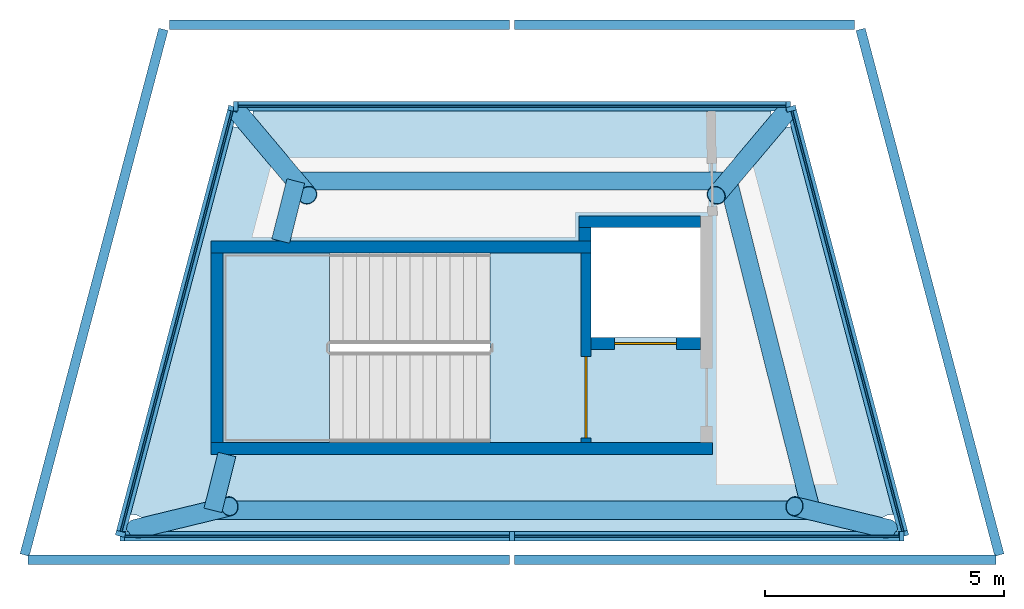
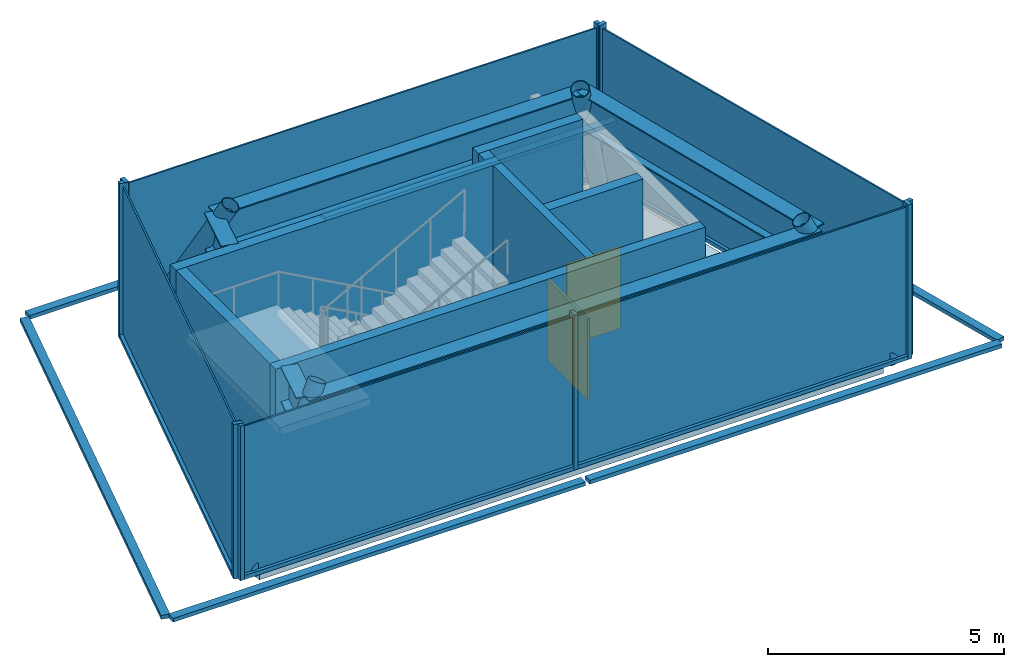
"""IFC4 building model written with IfcOpenShell, lengths in metres."""

from ifc_helpers import new_model, si_unit, direction, frame, frame_2d, origin, origin_2d, place, context, subcontext, project, spatial, polyline, rectangle, hollow_circle, i_section, outline, extrude, material, layer, layer_set, material_profile, profile_set, type_object, element, fill, aggregate, save


model = new_model("IFC4")

# Units and contexts
model_context = context("Model", 3, precision=1e-05, world=origin(), true_north=direction((0.0, 1.0)))
body_context = subcontext(model_context, "Body", "Model", "MODEL_VIEW")
ifc_project = project(units=[si_unit("LENGTHUNIT", "METRE"), si_unit("AREAUNIT", "SQUARE_METRE"), si_unit("VOLUMEUNIT", "CUBIC_METRE"), si_unit("PLANEANGLEUNIT", "RADIAN"), si_unit("MASSUNIT", "GRAM", prefix="KILO")], contexts=[model_context])

# Site, building, storey
site_placement = place(None, origin())
site = spatial("IfcSite", under=ifc_project, at=site_placement, CompositionType="ELEMENT")
building_placement = place(site_placement, origin())
building = spatial("IfcBuilding", under=site, at=building_placement, Name="Quipu Civic Tower", CompositionType="ELEMENT")
storey_1_placement = place(building_placement, frame((0.0, 0.0, 388.0)))
storey_1 = spatial("IfcBuildingStorey", under=building, at=storey_1_placement, Name="L90", CompositionType="ELEMENT", Elevation=388.0)

# Members
ifc_material_1 = material(Name="Steel ASTM A500 Grade C (fy 345 MPa)", Category="steel")
ifc_material_profile_1 = material_profile(ifc_material_1, hollow_circle(Radius=0.203125, WallThickness=0.0126953125, at=origin_2d()), Name="HSS406x12.7")
ifc_profile_set_1 = profile_set([ifc_material_profile_1], Name="Steel ASTM A500 Grade C (fy 345 MPa)")
member_type_1 = type_object("IfcMemberType", Name="Crown leg HSS406x12.7", PredefinedType="BRACE", material=ifc_profile_set_1)
for number, where, z_axis, x_axis, name in (
    (1, (-7.887451171875, -8.012939453125, 0.0), (0.439605072178, 0.106635257107, 0.891838719981), (-0.235734342436, 0.971817534209, 0.0), "Crown leg L90 1"),
    (2, (7.887451171875, -8.012939453125, 0.0), (-0.439605072178, 0.106635257107, 0.891838719981), (-0.235734342436, -0.971817534209, 0.0), "Crown leg L90 2"),
):
    element("IfcMember", number, at=place(storey_1_placement, frame(where, z_axis=z_axis, x_axis=x_axis)), inside=storey_1, type_object=member_type_1, Name=name, PredefinedType="BRACE", context=body_context, shape_type="SweptSolid", body=[
        extrude(hollow_circle(Radius=0.203125, WallThickness=0.0126953125, at=origin_2d()), origin(), (0.0, 0.0, 1.0), 4.485107421875),
    ])
for number, where, z_axis, x_axis, name in (
    (3, (5.700927734375, 0.672119140625, 0.0), (-0.311781792121, -0.370367716403, 0.874997067851), (0.765019891013, -0.644006650862, 0.0), "Crown leg L90 3"),
    (4, (-5.700927734375, 0.672119140625, 0.0), (0.311781792121, -0.370367716403, 0.874997067851), (0.765019891013, 0.644006650862, 0.0), "Crown leg L90 4"),
):
    element("IfcMember", number, at=place(storey_1_placement, frame(where, z_axis=z_axis, x_axis=x_axis)), inside=storey_1, type_object=member_type_1, Name=name, PredefinedType="BRACE", context=body_context, shape_type="SweptSolid", body=[
        extrude(hollow_circle(Radius=0.203125, WallThickness=0.0126953125, at=origin_2d()), origin(), (0.0, 0.0, 1.0), 4.571533203125),
    ])

# Beams
ifc_material_2 = material(Name="Steel ASTM A992 Grade 50 (fy 345 MPa)", Category="steel")
ifc_material_profile_2 = material_profile(ifc_material_2, i_section(OverallWidth=0.384033203125, OverallDepth=0.911865234375, WebThickness=0.019287109375, FlangeThickness=0.031982421875, at=origin_2d()), Name="W920x342")
ifc_profile_set_2 = profile_set([ifc_material_profile_2], Name="Steel ASTM A992 Grade 50 (fy 345 MPa)")
beam_type = type_object("IfcBeamType", Name="Crown ring girder W920x342", PredefinedType="BEAM", material=ifc_profile_set_2)
beam_1_placement = place(storey_1_placement, frame((-6.263671875, -7.619140625, 3.294189453125), z_axis=(1.0, 0.0, 0.0), x_axis=(0.0, 1.0, 0.0)))
element("IfcBeam", 5, at=beam_1_placement, inside=storey_1, type_object=beam_type, Name="Crown ring girder L90 1 to 2", PredefinedType="BEAM", context=body_context, shape_type="SweptSolid", body=[
    extrude(i_section(OverallWidth=0.384033203125, OverallDepth=0.911865234375, WebThickness=0.019287109375, FlangeThickness=0.031982421875, at=origin_2d()), origin(), (0.0, 0.0, 1.0), 12.52734375),
])
beam_2_placement = place(storey_1_placement, frame((6.263671875, -7.619140625, 3.294189453125), z_axis=(-0.244166816595, 0.969733244596, 0.0), x_axis=(-0.969733244596, -0.244166816595, 0.0)))
element("IfcBeam", 6, at=beam_2_placement, inside=storey_1, type_object=beam_type, Name="Crown ring girder L90 2 to 3", PredefinedType="BEAM", context=body_context, shape_type="SweptSolid", body=[
    extrude(i_section(OverallWidth=0.384033203125, OverallDepth=0.911865234375, WebThickness=0.019287109375, FlangeThickness=0.031982421875, at=origin_2d()), origin(), (0.0, 0.0, 1.0), 7.1123046875),
])
beam_3_placement = place(storey_1_placement, frame((4.527099609375, -0.72216796875, 3.294189453125), z_axis=(-1.0, 0.0, 0.0), x_axis=(0.0, -1.0, 0.0)))
element("IfcBeam", 7, at=beam_3_placement, inside=storey_1, type_object=beam_type, Name="Crown ring girder L90 3 to 4", PredefinedType="BEAM", context=body_context, shape_type="SweptSolid", body=[
    extrude(i_section(OverallWidth=0.384033203125, OverallDepth=0.911865234375, WebThickness=0.019287109375, FlangeThickness=0.031982421875, at=origin_2d()), origin(), (0.0, 0.0, 1.0), 9.05419921875),
])
beam_4_placement = place(storey_1_placement, frame((-4.527099609375, -0.72216796875, 3.294189453125), z_axis=(-0.244129686123, -0.969742592833, 0.0), x_axis=(0.969742592833, -0.244129686123, 0.0)))
element("IfcBeam", 8, at=beam_4_placement, inside=storey_1, type_object=beam_type, Name="Crown ring girder L90 4 to 1 part 1", PredefinedType="BEAM", context=body_context, shape_type="SweptSolid", body=[
    extrude(i_section(OverallWidth=0.384033203125, OverallDepth=0.911865234375, WebThickness=0.019287109375, FlangeThickness=0.031982421875, at=origin_2d()), origin(), (0.0, 0.0, 1.0), 1.297119140625),
])
beam_5_placement = place(storey_1_placement, frame((-5.96923828125, -6.449951171875, 3.294189453125), z_axis=(-0.244202830702, -0.969724175979, 0.0), x_axis=(0.969724175979, -0.244202830702, 0.0)))
element("IfcBeam", 9, at=beam_5_placement, inside=storey_1, type_object=beam_type, Name="Crown ring girder L90 4 to 1 part 2", PredefinedType="BEAM", context=body_context, shape_type="SweptSolid", body=[
    extrude(i_section(OverallWidth=0.384033203125, OverallDepth=0.911865234375, WebThickness=0.019287109375, FlangeThickness=0.031982421875, at=origin_2d()), origin(), (0.0, 0.0, 1.0), 1.205810546875),
])

# Curtain wall, members
ifc_material_3 = material(Name="Insulated glass unit", Category="glass")
curtain_wall_type_1 = type_object("IfcCurtainWallType", Name="Crown glass facets CW6", PredefinedType="NOTDEFINED", material=ifc_material_3)
curtain_wall_1_placement = place(storey_1_placement, origin())
curtain_wall_1 = element("IfcCurtainWall", 10, at=curtain_wall_1_placement, inside=storey_1, type_object=curtain_wall_type_1, Name="Crown glass facets CW6 L90 run 1", PredefinedType="NOTDEFINED")
ifc_material_4 = material(Name="Anodised aluminium", Category="aluminium")
ifc_material_profile_3 = material_profile(ifc_material_4, rectangle(XDim=0.199951171875, YDim=0.10009765625, at=origin_2d()), Name="RECT 200x100")
ifc_profile_set_3 = profile_set([ifc_material_profile_3], Name="Anodised aluminium")
member_type_2 = type_object("IfcMemberType", Name="Mullion CW6", PredefinedType="MULLION", material=ifc_profile_set_3)
member_1_placement = place(storey_1_placement, frame((-8.16162109375, -8.159912109375, 0.050048828125), z_axis=(0.0, 0.0, 1.0), x_axis=(0.0, 1.0, 0.0)))
member_1 = element("IfcMember", 11, at=member_1_placement, type_object=member_type_2, Name="CW6 mullion 1", PredefinedType="MULLION", context=body_context, shape_type="SweptSolid", body=[
    extrude(rectangle(XDim=0.199951171875, YDim=0.10009765625, at=origin_2d()), origin(), (0.0, 0.0, 1.0), 4.0),
])
member_2_placement = place(storey_1_placement, frame((0.0, -8.159912109375, 0.050048828125), z_axis=(0.0, 0.0, 1.0), x_axis=(0.0, 1.0, 0.0)))
member_2 = element("IfcMember", 12, at=member_2_placement, type_object=member_type_2, Name="CW6 mullion 2", PredefinedType="MULLION", context=body_context, shape_type="SweptSolid", body=[
    extrude(rectangle(XDim=0.199951171875, YDim=0.10009765625, at=origin_2d()), origin(), (0.0, 0.0, 1.0), 4.0),
])
member_3_placement = place(storey_1_placement, frame((8.16162109375, -8.159912109375, 0.050048828125), z_axis=(0.0, 0.0, 1.0), x_axis=(0.0, 1.0, 0.0)))
member_3 = element("IfcMember", 13, at=member_3_placement, type_object=member_type_2, Name="CW6 mullion 3", PredefinedType="MULLION", context=body_context, shape_type="SweptSolid", body=[
    extrude(rectangle(XDim=0.199951171875, YDim=0.10009765625, at=origin_2d()), origin(), (0.0, 0.0, 1.0), 4.0),
])

curtain_wall_2_placement = place(storey_1_placement, origin())
curtain_wall_2 = element("IfcCurtainWall", 14, at=curtain_wall_2_placement, inside=storey_1, type_object=curtain_wall_type_1, Name="Crown glass facets CW6 L90 run 3", PredefinedType="NOTDEFINED")
member_4_placement = place(storey_1_placement, frame((5.78515625, 0.840087890625, 0.050048828125), z_axis=(0.0, 0.0, 1.0), x_axis=(0.0, -1.0, 0.0)))
member_4 = element("IfcMember", 15, at=member_4_placement, type_object=member_type_2, Name="CW6 mullion 1", PredefinedType="MULLION", context=body_context, shape_type="SweptSolid", body=[
    extrude(rectangle(XDim=0.199951171875, YDim=0.10009765625, at=origin_2d()), origin(), (0.0, 0.0, 1.0), 4.0),
])
member_5_placement = place(storey_1_placement, frame((-5.78515625, 0.840087890625, 0.050048828125), z_axis=(0.0, 0.0, 1.0), x_axis=(0.0, -1.0, 0.0)))
member_5 = element("IfcMember", 16, at=member_5_placement, type_object=member_type_2, Name="CW6 mullion 2", PredefinedType="MULLION", context=body_context, shape_type="SweptSolid", body=[
    extrude(rectangle(XDim=0.199951171875, YDim=0.10009765625, at=origin_2d()), origin(), (0.0, 0.0, 1.0), 4.0),
])

ifc_material_5 = material(Name="Anodised aluminium insulated panel", Category="aluminium")
curtain_wall_type_2 = type_object("IfcCurtainWallType", Name="Insulated infill wall CW6I", PredefinedType="NOTDEFINED", material=ifc_material_5)
curtain_wall_3_placement = place(storey_1_placement, origin())
curtain_wall_3 = element("IfcCurtainWall", 17, at=curtain_wall_3_placement, inside=storey_1, type_object=curtain_wall_type_2, Name="Insulated infill wall CW6I L90 run 2", PredefinedType="NOTDEFINED")
ifc_material_6 = material(Name="Anodised aluminium", Category="aluminium")
ifc_material_profile_4 = material_profile(ifc_material_6, rectangle(XDim=0.199951171875, YDim=0.10009765625, at=origin_2d()), Name="RECT 200x100")
ifc_profile_set_4 = profile_set([ifc_material_profile_4], Name="Anodised aluminium")
member_type_3 = type_object("IfcMemberType", Name="Mullion CW6I", PredefinedType="MULLION", material=ifc_profile_set_4)
member_6_placement = place(storey_1_placement, frame((8.198974609375, -8.111572265625, 0.050048828125), z_axis=(0.0, 0.0, 1.0), x_axis=(-0.966857939253, -0.255314953151, 0.0)))
member_6 = element("IfcMember", 18, at=member_6_placement, type_object=member_type_3, Name="CW6I mullion 1", PredefinedType="MULLION", context=body_context, shape_type="SweptSolid", body=[
    extrude(rectangle(XDim=0.199951171875, YDim=0.10009765625, at=origin_2d()), origin(), (0.0, 0.0, 1.0), 4.0),
])
member_7_placement = place(storey_1_placement, frame((5.847900390625, 0.791748046875, 0.050048828125), z_axis=(0.0, 0.0, 1.0), x_axis=(-0.966857939253, -0.255314953151, 0.0)))
member_7 = element("IfcMember", 19, at=member_7_placement, type_object=member_type_3, Name="CW6I mullion 2", PredefinedType="MULLION", context=body_context, shape_type="SweptSolid", body=[
    extrude(rectangle(XDim=0.199951171875, YDim=0.10009765625, at=origin_2d()), origin(), (0.0, 0.0, 1.0), 4.0),
])

curtain_wall_4_placement = place(storey_1_placement, origin())
curtain_wall_4 = element("IfcCurtainWall", 20, at=curtain_wall_4_placement, inside=storey_1, type_object=curtain_wall_type_2, Name="Insulated infill wall CW6I L90 run 4", PredefinedType="NOTDEFINED")
member_8_placement = place(storey_1_placement, frame((-5.847900390625, 0.791748046875, 0.050048828125), z_axis=(0.0, 0.0, 1.0), x_axis=(0.966857939253, -0.255314953151, 0.0)))
member_8 = element("IfcMember", 21, at=member_8_placement, type_object=member_type_3, Name="CW6I mullion 1", PredefinedType="MULLION", context=body_context, shape_type="SweptSolid", body=[
    extrude(rectangle(XDim=0.199951171875, YDim=0.10009765625, at=origin_2d()), origin(), (0.0, 0.0, 1.0), 4.0),
])
member_9_placement = place(storey_1_placement, frame((-8.198974609375, -8.111572265625, 0.050048828125), z_axis=(0.0, 0.0, 1.0), x_axis=(0.966857939253, -0.255314953151, 0.0)))
member_9 = element("IfcMember", 22, at=member_9_placement, type_object=member_type_3, Name="CW6I mullion 2", PredefinedType="MULLION", context=body_context, shape_type="SweptSolid", body=[
    extrude(rectangle(XDim=0.199951171875, YDim=0.10009765625, at=origin_2d()), origin(), (0.0, 0.0, 1.0), 4.0),
])

# Storey
storey_2_placement = place(building_placement, frame((0.0, 0.0, 384.0)))
storey_2 = spatial("IfcBuildingStorey", under=building, at=storey_2_placement, Name="L89", CompositionType="ELEMENT", Elevation=384.0)

# Curtain wall, members
curtain_wall_5_placement = place(storey_2_placement, origin())
curtain_wall_5 = element("IfcCurtainWall", 23, at=curtain_wall_5_placement, inside=storey_2, type_object=curtain_wall_type_1, Name="Crown glass facets CW6 L89 run 1", PredefinedType="NOTDEFINED")
ifc_material_7 = material(Name="Anodised aluminium", Category="aluminium")
ifc_material_profile_5 = material_profile(ifc_material_7, rectangle(XDim=0.199951171875, YDim=0.10009765625, at=origin_2d()), Name="RECT 200x100")
ifc_profile_set_5 = profile_set([ifc_material_profile_5], Name="Anodised aluminium")
member_type_4 = type_object("IfcMemberType", Name="Transom CW6", PredefinedType="USERDEFINED", material=ifc_profile_set_5)
member_10_placement = place(storey_1_placement, frame((-10.132080078125, -8.64990234375, 0.0), z_axis=(1.0, 0.0, 0.0), x_axis=(0.0, 1.0, 0.0)))
member_10 = element("IfcMember", 24, at=member_10_placement, inside=storey_1, type_object=member_type_4, Name="CW6 transom 1.2", ObjectType="TRANSOM", PredefinedType="USERDEFINED", context=body_context, shape_type="SweptSolid", body=[
    extrude(rectangle(XDim=0.199951171875, YDim=0.10009765625, at=origin_2d()), origin(), (0.0, 0.0, 1.0), 10.08203125),
])
member_11_placement = place(storey_1_placement, frame((0.050048828125, -8.64990234375, 0.0), z_axis=(1.0, 0.0, 0.0), x_axis=(0.0, 1.0, 0.0)))
member_11 = element("IfcMember", 25, at=member_11_placement, inside=storey_1, type_object=member_type_4, Name="CW6 transom 2.2", ObjectType="TRANSOM", PredefinedType="USERDEFINED", context=body_context, shape_type="SweptSolid", body=[
    extrude(rectangle(XDim=0.199951171875, YDim=0.10009765625, at=origin_2d()), origin(), (0.0, 0.0, 1.0), 10.08203125),
])
aggregate(curtain_wall_5, [member_10, member_11])

curtain_wall_6_placement = place(storey_2_placement, origin())
curtain_wall_6 = element("IfcCurtainWall", 26, at=curtain_wall_6_placement, inside=storey_2, type_object=curtain_wall_type_1, Name="Crown glass facets CW6 L89 run 3", PredefinedType="NOTDEFINED")
member_12_placement = place(storey_1_placement, frame((7.174560546875, 2.550048828125, 0.0), z_axis=(-1.0, 0.0, 0.0), x_axis=(0.0, -1.0, 0.0)))
member_12 = element("IfcMember", 27, at=member_12_placement, inside=storey_1, type_object=member_type_4, Name="CW6 transom 1.2", ObjectType="TRANSOM", PredefinedType="USERDEFINED", context=body_context, shape_type="SweptSolid", body=[
    extrude(rectangle(XDim=0.199951171875, YDim=0.10009765625, at=origin_2d()), origin(), (0.0, 0.0, 1.0), 7.12451171875),
])
member_13_placement = place(storey_1_placement, frame((-0.050048828125, 2.550048828125, 0.0), z_axis=(-1.0, 0.0, 0.0), x_axis=(0.0, -1.0, 0.0)))
member_13 = element("IfcMember", 28, at=member_13_placement, inside=storey_1, type_object=member_type_4, Name="CW6 transom 2.2", ObjectType="TRANSOM", PredefinedType="USERDEFINED", context=body_context, shape_type="SweptSolid", body=[
    extrude(rectangle(XDim=0.199951171875, YDim=0.10009765625, at=origin_2d()), origin(), (0.0, 0.0, 1.0), 7.12451171875),
])
aggregate(curtain_wall_6, [member_12, member_13])

# Member
member_14_placement = place(storey_1_placement, frame((-8.11181640625, -8.159912109375, 0.10009765625), z_axis=(1.0, 0.0, 0.0), x_axis=(0.0, 1.0, 0.0)))
member_14 = element("IfcMember", 29, at=member_14_placement, type_object=member_type_4, Name="CW6 transom 1.1", ObjectType="TRANSOM", PredefinedType="USERDEFINED", context=body_context, shape_type="SweptSolid", body=[
    extrude(rectangle(XDim=0.199951171875, YDim=0.10009765625, at=origin_2d()), origin(), (0.0, 0.0, 1.0), 8.061767578125),
])

member_15_placement = place(storey_1_placement, frame((0.050048828125, -8.159912109375, 0.10009765625), z_axis=(1.0, 0.0, 0.0), x_axis=(0.0, 1.0, 0.0)))
member_15 = element("IfcMember", 30, at=member_15_placement, type_object=member_type_4, Name="CW6 transom 2.1", ObjectType="TRANSOM", PredefinedType="USERDEFINED", context=body_context, shape_type="SweptSolid", body=[
    extrude(rectangle(XDim=0.199951171875, YDim=0.10009765625, at=origin_2d()), origin(), (0.0, 0.0, 1.0), 8.061767578125),
])

member_16_placement = place(storey_1_placement, frame((5.735107421875, 0.840087890625, 0.10009765625), z_axis=(-1.0, 0.0, 0.0), x_axis=(0.0, -1.0, 0.0)))
member_16 = element("IfcMember", 31, at=member_16_placement, type_object=member_type_4, Name="CW6 transom 1.1", ObjectType="TRANSOM", PredefinedType="USERDEFINED", context=body_context, shape_type="SweptSolid", body=[
    extrude(rectangle(XDim=0.199951171875, YDim=0.10009765625, at=origin_2d()), origin(), (0.0, 0.0, 1.0), 11.47021484375),
])

# Curtain wall, member
curtain_wall_7_placement = place(storey_2_placement, origin())
curtain_wall_7 = element("IfcCurtainWall", 32, at=curtain_wall_7_placement, inside=storey_2, type_object=curtain_wall_type_2, Name="Insulated infill wall CW6I L89 run 2", PredefinedType="NOTDEFINED")
ifc_material_8 = material(Name="Anodised aluminium", Category="aluminium")
ifc_material_profile_6 = material_profile(ifc_material_8, rectangle(XDim=0.199951171875, YDim=0.10009765625, at=origin_2d()), Name="RECT 200x100")
ifc_profile_set_6 = profile_set([ifc_material_profile_6], Name="Anodised aluminium")
member_type_5 = type_object("IfcMemberType", Name="Transom CW6I", PredefinedType="USERDEFINED", material=ifc_profile_set_6)
member_17_placement = place(storey_1_placement, frame((10.206787109375, -8.55322265625, 0.0), z_axis=(-0.255336654464, 0.9668522084, 0.0), x_axis=(-0.9668522084, -0.255336654464, 0.0)))
member_17 = element("IfcMember", 33, at=member_17_placement, inside=storey_1, type_object=member_type_5, Name="CW6I transom 1.2", ObjectType="TRANSOM", PredefinedType="USERDEFINED", context=body_context, shape_type="SweptSolid", body=[
    extrude(rectangle(XDim=0.199951171875, YDim=0.10009765625, at=origin_2d()), origin(), (0.0, 0.0, 1.0), 11.384033203125),
])
aggregate(curtain_wall_7, [member_17])

curtain_wall_8_placement = place(storey_2_placement, origin())
curtain_wall_8 = element("IfcCurtainWall", 34, at=curtain_wall_8_placement, inside=storey_2, type_object=curtain_wall_type_2, Name="Insulated infill wall CW6I L89 run 4", PredefinedType="NOTDEFINED")
member_18_placement = place(storey_1_placement, frame((-7.300048828125, 2.453369140625, 0.0), z_axis=(-0.255336654464, -0.9668522084, 0.0), x_axis=(0.9668522084, -0.255336654464, 0.0)))
member_18 = element("IfcMember", 35, at=member_18_placement, inside=storey_1, type_object=member_type_5, Name="CW6I transom 1.2", ObjectType="TRANSOM", PredefinedType="USERDEFINED", context=body_context, shape_type="SweptSolid", body=[
    extrude(rectangle(XDim=0.199951171875, YDim=0.10009765625, at=origin_2d()), origin(), (0.0, 0.0, 1.0), 11.384033203125),
])
aggregate(curtain_wall_8, [member_18])

# Member
member_19_placement = place(storey_1_placement, frame((8.186279296875, -8.063232421875, 0.10009765625), z_axis=(-0.255329666158, 0.966854053919, 0.0), x_axis=(-0.966854053919, -0.255329666158, 0.0)))
member_19 = element("IfcMember", 36, at=member_19_placement, type_object=member_type_5, Name="CW6I transom 1.1", ObjectType="TRANSOM", PredefinedType="USERDEFINED", context=body_context, shape_type="SweptSolid", body=[
    extrude(rectangle(XDim=0.199951171875, YDim=0.10009765625, at=origin_2d()), origin(), (0.0, 0.0, 1.0), 9.108642578125),
])

member_20_placement = place(storey_1_placement, frame((-5.860595703125, 0.743408203125, 0.10009765625), z_axis=(-0.255329666158, -0.966854053919, 0.0), x_axis=(0.966854053919, -0.255329666158, 0.0)))
member_20 = element("IfcMember", 37, at=member_20_placement, type_object=member_type_5, Name="CW6I transom 1.1", ObjectType="TRANSOM", PredefinedType="USERDEFINED", context=body_context, shape_type="SweptSolid", body=[
    extrude(rectangle(XDim=0.199951171875, YDim=0.10009765625, at=origin_2d()), origin(), (0.0, 0.0, 1.0), 9.108642578125),
])

# Slab
ifc_material_9 = material(Name="Concrete C40/50", Category="concrete")
ifc_layer_1 = layer(ifc_material_9, 0.25)
ifc_layer_set_1 = layer_set([ifc_layer_1], Name="Concrete C40/50")
slab_type_1 = type_object("IfcSlabType", Name="Crown floor slab 250 C40/50", PredefinedType="FLOOR", material=ifc_layer_set_1)
slab_1_placement = place(storey_1_placement, frame((0.0, 0.0, -0.25)))
element("IfcSlab", 38, at=slab_1_placement, inside=storey_1, type_object=slab_type_1, Name="Crown floor slab L90", PredefinedType="FLOOR", context=body_context, shape_type="SweptSolid", body=[
    extrude(outline(polyline([(-7.6298828125, -8.06005859375), (-7.635009765625, -7.965087890625), (-7.6650390625, -7.875), (-7.699951171875, -7.824951171875), (-7.7451171875, -7.780029296875), (-7.77001953125, -7.760009765625), (-7.85498046875, -7.719970703125), (-7.919921875, -7.7099609375), (-7.989990234375, -7.7099609375), (-5.844970703125, 0.419921875), (-5.77490234375, 0.405029296875), (-5.68505859375, 0.409912109375), (-5.625, 0.429931640625), (-5.5400390625, 0.47998046875), (-5.47998046875, 0.544921875), (-5.449951171875, 0.60009765625), (-5.429931640625, 0.659912109375), (-5.425048828125, 0.739990234375), (5.425048828125, 0.739990234375), (5.429931640625, 0.659912109375), (5.449951171875, 0.60009765625), (5.47998046875, 0.544921875), (5.5400390625, 0.47998046875), (5.625, 0.429931640625), (5.68505859375, 0.409912109375), (5.77490234375, 0.405029296875), (5.844970703125, 0.419921875), (7.989990234375, -7.7099609375), (7.919921875, -7.7099609375), (7.85498046875, -7.719970703125), (7.77001953125, -7.760009765625), (7.7451171875, -7.780029296875), (7.699951171875, -7.824951171875), (7.6650390625, -7.875), (7.635009765625, -7.965087890625), (7.6298828125, -8.06005859375), (-7.6298828125, -8.06005859375)]), holes=[polyline([(-6.044921875, -2.235107421875), (-6.044921875, -6.195068359375), (-0.465087890625, -6.195068359375), (-0.465087890625, -2.235107421875), (-6.044921875, -2.235107421875)]), polyline([(3.949951171875, -1.699951171875), (1.64990234375, -1.699951171875), (1.64990234375, -4.0), (3.949951171875, -4.0), (3.949951171875, -1.699951171875)])]), origin(), (0.0, 0.0, 1.0), 0.25),
])

# Plate
ifc_material_10 = material(Name="Insulated glass unit", Category="glass")
ifc_layer_2 = layer(ifc_material_10, 0.0400390625)
ifc_layer_set_2 = layer_set([ifc_layer_2], Name="Insulated glass unit")
plate_type_1 = type_object("IfcPlateType", Name="Glass panel CW6", PredefinedType="CURTAIN_PANEL", material=ifc_layer_set_2)
plate_1_placement = place(storey_1_placement, frame((-4.080810546875, -8.159912109375, 0.14990234375), z_axis=(0.0, 0.0, 1.0), x_axis=(1.0, 0.0, 0.0)))
plate_1 = element("IfcPlate", 39, at=plate_1_placement, type_object=plate_type_1, Name="CW6 panel 1.1", PredefinedType="CURTAIN_PANEL", context=body_context, shape_type="SweptSolid", body=[
    extrude(rectangle(XDim=8.061767578125, YDim=0.0400390625, at=origin_2d()), origin(), (0.0, 0.0, 1.0), 3.800048828125),
])

plate_2_placement = place(storey_1_placement, frame((4.080810546875, -8.159912109375, 0.14990234375), z_axis=(0.0, 0.0, 1.0), x_axis=(1.0, 0.0, 0.0)))
plate_2 = element("IfcPlate", 40, at=plate_2_placement, type_object=plate_type_1, Name="CW6 panel 2.1", PredefinedType="CURTAIN_PANEL", context=body_context, shape_type="SweptSolid", body=[
    extrude(rectangle(XDim=8.061767578125, YDim=0.0400390625, at=origin_2d()), origin(), (0.0, 0.0, 1.0), 3.800048828125),
])

aggregate(curtain_wall_1, [member_1, member_2, member_3, member_14, plate_1, member_15, plate_2])

plate_3_placement = place(storey_1_placement, frame((0.0, 0.840087890625, 0.14990234375), z_axis=(0.0, 0.0, 1.0), x_axis=(-1.0, 0.0, 0.0)))
plate_3 = element("IfcPlate", 41, at=plate_3_placement, type_object=plate_type_1, Name="CW6 panel 1.1", PredefinedType="CURTAIN_PANEL", context=body_context, shape_type="SweptSolid", body=[
    extrude(rectangle(XDim=11.47021484375, YDim=0.0400390625, at=origin_2d()), origin(), (0.0, 0.0, 1.0), 3.800048828125),
])

aggregate(curtain_wall_2, [member_4, member_5, member_16, plate_3])

ifc_material_11 = material(Name="Anodised aluminium insulated panel", Category="aluminium")
ifc_layer_3 = layer(ifc_material_11, 0.0400390625)
ifc_layer_set_3 = layer_set([ifc_layer_3], Name="Anodised aluminium insulated panel")
plate_type_2 = type_object("IfcPlateType", Name="Insulated panel CW6I", PredefinedType="CURTAIN_PANEL", material=ifc_layer_set_3)
plate_4_placement = place(storey_1_placement, frame((7.0234375, -3.659912109375, 0.14990234375), z_axis=(0.0, 0.0, 1.0), x_axis=(-0.255314953151, 0.966857939253, 0.0)))
plate_4 = element("IfcPlate", 42, at=plate_4_placement, type_object=plate_type_2, Name="CW6I panel 1.1", PredefinedType="CURTAIN_PANEL", context=body_context, shape_type="SweptSolid", body=[
    extrude(rectangle(XDim=9.1083984375, YDim=0.0400390625, at=origin_2d()), origin(), (0.0, 0.0, 1.0), 3.800048828125),
])

aggregate(curtain_wall_3, [member_6, member_7, member_19, plate_4])

plate_5_placement = place(storey_1_placement, frame((-7.0234375, -3.659912109375, 0.14990234375), z_axis=(0.0, 0.0, 1.0), x_axis=(-0.255314953151, -0.966857939253, 0.0)))
plate_5 = element("IfcPlate", 43, at=plate_5_placement, type_object=plate_type_2, Name="CW6I panel 1.1", PredefinedType="CURTAIN_PANEL", context=body_context, shape_type="SweptSolid", body=[
    extrude(rectangle(XDim=9.1083984375, YDim=0.0400390625, at=origin_2d()), origin(), (0.0, 0.0, 1.0), 3.800048828125),
])

aggregate(curtain_wall_4, [member_8, member_9, member_20, plate_5])

# Stair, slab
ifc_material_12 = material(Name="Concrete C40/50", Category="concrete")
stair_type = type_object("IfcStairType", Name="Half turn stair 1910", PredefinedType="HALF_TURN_STAIR", material=ifc_material_12)
stair_placement = place(storey_1_placement, origin())
stair = element("IfcStair", 44, at=stair_placement, inside=storey_1, type_object=stair_type, Name="Crown access stair", PredefinedType="HALF_TURN_STAIR")
ifc_material_13 = material(Name="Concrete C40/50", Category="concrete")
ifc_layer_4 = layer(ifc_material_13, 0.199951171875)
ifc_layer_set_4 = layer_set([ifc_layer_4], Name="Concrete C40/50")
slab_type_2 = type_object("IfcSlabType", Name="Stair landing 200", PredefinedType="LANDING", material=ifc_layer_set_4)
slab_2_placement = place(storey_1_placement, frame((0.0, 0.0, 1.800048828125)))
slab_2 = element("IfcSlab", 45, at=slab_2_placement, type_object=slab_type_2, Name="ST-5 landing 1", PredefinedType="LANDING", context=body_context, shape_type="SweptSolid", body=[
    extrude(outline(polyline([(-3.820068359375, -2.22998046875), (-6.050048828125, -2.22998046875), (-6.050048828125, -6.199951171875), (-3.820068359375, -6.199951171875), (-3.820068359375, -2.22998046875)])), origin(), (0.0, 0.0, 1.0), 0.199951171875),
])
aggregate(stair, [slab_2])

# Wall, opening, door
ifc_material_14 = material(Name="Concrete C70/85", Category="concrete")
ifc_layer_5 = layer(ifc_material_14, 0.199951171875)
ifc_layer_set_5 = layer_set([ifc_layer_5], Name="Concrete C70/85")
wall_type_1 = type_object("IfcWallType", Name="Core wall 200", PredefinedType="SHEAR", material=ifc_layer_set_5)
wall_1_placement = place(storey_1_placement, frame((1.550048828125, -6.199951171875, 0.0), z_axis=(0.0, 0.0, 1.0), x_axis=(0.0, 1.0, 0.0)))
wall_1 = element("IfcWall", 46, at=wall_1_placement, inside=storey_1, type_object=wall_type_1, Name="Core wall", PredefinedType="SHEAR", context=body_context, shape_type="SweptSolid", body=[
    extrude(rectangle(XDim=3.969970703125, YDim=0.199951171875, at=frame_2d((1.98486328125, 0.0))), origin(), (0.0, 0.0, 1.0), 3.75),
])
opening_1_placement = place(wall_1_placement, frame((0.10009765625, 0.0, 0.0)))
opening_1 = element("IfcOpeningElement", 47, at=opening_1_placement, cuts=wall_1, Name="Opening CD-01", PredefinedType="OPENING", context=body_context, shape_type="SweptSolid", body=[
    extrude(rectangle(XDim=1.699951171875, YDim=2.10009765625, at=frame_2d((0.85009765625, 1.050048828125))), frame((0.0, 0.10986328125, 0.0), z_axis=(0.0, -1.0, 0.0), x_axis=(1.0, 0.0, 0.0)), (0.0, 0.0, 1.0), 0.219970703125),
])
ifc_material_15 = material(Name="Fire rated steel door", Category="steel")
door_type_1 = type_object("IfcDoorType", Name="Fire door FD90 double 1700 x 2100", OperationType="NOTDEFINED", PredefinedType="DOOR", material=ifc_material_15)
door_1_placement = place(opening_1_placement, origin())
door_1 = element("IfcDoor", 48, at=door_1_placement, inside=storey_1, type_object=door_type_1, Name="Door", OperationType="DOUBLE_DOOR_SINGLE_SWING", OverallHeight=2.10009765625, OverallWidth=1.699951171875, PredefinedType="DOOR", context=body_context, shape_type="SweptSolid", body=[
    extrude(rectangle(XDim=1.699951171875, YDim=2.10009765625, at=frame_2d((0.85009765625, 1.050048828125))), frame((0.0, 0.02490234375, 0.0), z_axis=(0.0, -1.0, 0.0), x_axis=(1.0, 0.0, 0.0)), (0.0, 0.0, 1.0), 0.050048828125),
])
fill(opening_1, door_1)

# Walls
ifc_material_16 = material(Name="Concrete C70/85", Category="concrete")
ifc_layer_6 = layer(ifc_material_16, 0.25)
ifc_layer_set_6 = layer_set([ifc_layer_6], Name="Concrete C70/85")
wall_type_2 = type_object("IfcWallType", Name="Core wall 250", PredefinedType="SHEAR", material=ifc_layer_set_6)
wall_2_placement = place(storey_1_placement, frame((-6.300048828125, -6.324951171875, 0.0), z_axis=(0.0, 0.0, 1.0), x_axis=(1.0, 0.0, 0.0)))
element("IfcWall", 49, at=wall_2_placement, inside=storey_1, type_object=wall_type_2, Name="Core wall", PredefinedType="SHEAR", context=body_context, shape_type="SweptSolid", body=[
    extrude(rectangle(XDim=10.5, YDim=0.25, at=frame_2d((5.25, 0.0))), origin(), (0.0, 0.0, 1.0), 3.75),
])
wall_3_placement = place(storey_1_placement, frame((-6.175048828125, -6.199951171875, 0.0), z_axis=(0.0, 0.0, 1.0), x_axis=(0.0, 1.0, 0.0)))
element("IfcWall", 50, at=wall_3_placement, inside=storey_1, type_object=wall_type_2, Name="Core wall", PredefinedType="SHEAR", context=body_context, shape_type="SweptSolid", body=[
    extrude(rectangle(XDim=3.969970703125, YDim=0.25, at=frame_2d((1.98486328125, 0.0))), origin(), (0.0, 0.0, 1.0), 3.75),
])

# Wall, opening, door
wall_4_placement = place(storey_1_placement, frame((1.64990234375, -4.125, 0.0), z_axis=(0.0, 0.0, 1.0), x_axis=(1.0, 0.0, 0.0)))
wall_4 = element("IfcWall", 51, at=wall_4_placement, inside=storey_1, type_object=wall_type_2, Name="Core wall", PredefinedType="SHEAR", context=body_context, shape_type="SweptSolid", body=[
    extrude(rectangle(XDim=2.300048828125, YDim=0.25, at=frame_2d((1.14990234375, 0.0))), origin(), (0.0, 0.0, 1.0), 3.75),
])
opening_2_placement = place(wall_4_placement, frame((0.5, 0.0, 0.0)))
opening_2 = element("IfcOpeningElement", 52, at=opening_2_placement, cuts=wall_4, Name="Opening LD-FF3", PredefinedType="OPENING", context=body_context, shape_type="SweptSolid", body=[
    extrude(rectangle(XDim=1.300048828125, YDim=2.10009765625, at=frame_2d((0.64990234375, 1.050048828125))), frame((0.0, 0.135009765625, 0.0), z_axis=(0.0, -1.0, 0.0), x_axis=(1.0, 0.0, 0.0)), (0.0, 0.0, 1.0), 0.27001953125),
])
ifc_material_17 = material(Name="Stainless steel", Category="steel")
door_type_2 = type_object("IfcDoorType", Name="Lift landing door 1300 x 2100", OperationType="DOUBLE_DOOR_SLIDING", PredefinedType="DOOR", material=ifc_material_17)
door_2_placement = place(opening_2_placement, origin())
door_2 = element("IfcDoor", 53, at=door_2_placement, inside=storey_1, type_object=door_type_2, Name="Landing door FF3", OperationType="DOUBLE_DOOR_SLIDING", OverallHeight=2.10009765625, OverallWidth=1.300048828125, PredefinedType="DOOR", context=body_context, shape_type="SweptSolid", body=[
    extrude(rectangle(XDim=1.300048828125, YDim=2.10009765625, at=frame_2d((0.64990234375, 1.050048828125))), frame((0.0, 0.02490234375, 0.0), z_axis=(0.0, -1.0, 0.0), x_axis=(1.0, 0.0, 0.0)), (0.0, 0.0, 1.0), 0.050048828125),
])
fill(opening_2, door_2)

# Walls
wall_5_placement = place(storey_1_placement, frame((-6.300048828125, -2.10498046875, 0.0), z_axis=(0.0, 0.0, 1.0), x_axis=(1.0, 0.0, 0.0)))
element("IfcWall", 54, at=wall_5_placement, inside=storey_1, type_object=wall_type_2, Name="Core wall", PredefinedType="SHEAR", context=body_context, shape_type="SweptSolid", body=[
    extrude(rectangle(XDim=7.949951171875, YDim=0.25, at=frame_2d((3.97509765625, 0.0))), origin(), (0.0, 0.0, 1.0), 3.75),
])
wall_6_placement = place(storey_1_placement, frame((1.52490234375, -1.97998046875, 0.0), z_axis=(0.0, 0.0, 1.0), x_axis=(0.0, 1.0, 0.0)))
element("IfcWall", 55, at=wall_6_placement, inside=storey_1, type_object=wall_type_2, Name="Core wall", PredefinedType="SHEAR", context=body_context, shape_type="SweptSolid", body=[
    extrude(rectangle(XDim=0.280029296875, YDim=0.25, at=frame_2d((0.14013671875, 0.0))), origin(), (0.0, 0.0, 1.0), 3.75),
])
wall_7_placement = place(storey_1_placement, frame((1.39990234375, -1.574951171875, 0.0), z_axis=(0.0, 0.0, 1.0), x_axis=(1.0, 0.0, 0.0)))
element("IfcWall", 56, at=wall_7_placement, inside=storey_1, type_object=wall_type_2, Name="Core wall", PredefinedType="SHEAR", context=body_context, shape_type="SweptSolid", body=[
    extrude(rectangle(XDim=2.550048828125, YDim=0.25, at=frame_2d((1.27490234375, 0.0))), origin(), (0.0, 0.0, 1.0), 3.75),
])

save(model, "model.ifc")
